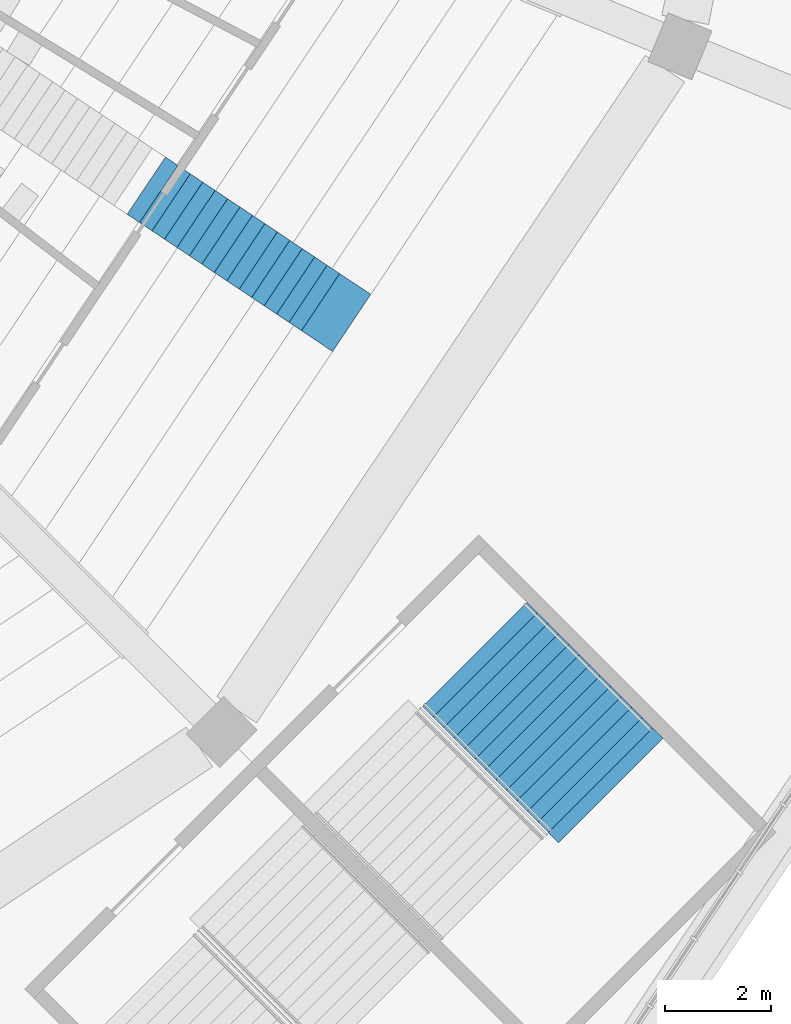
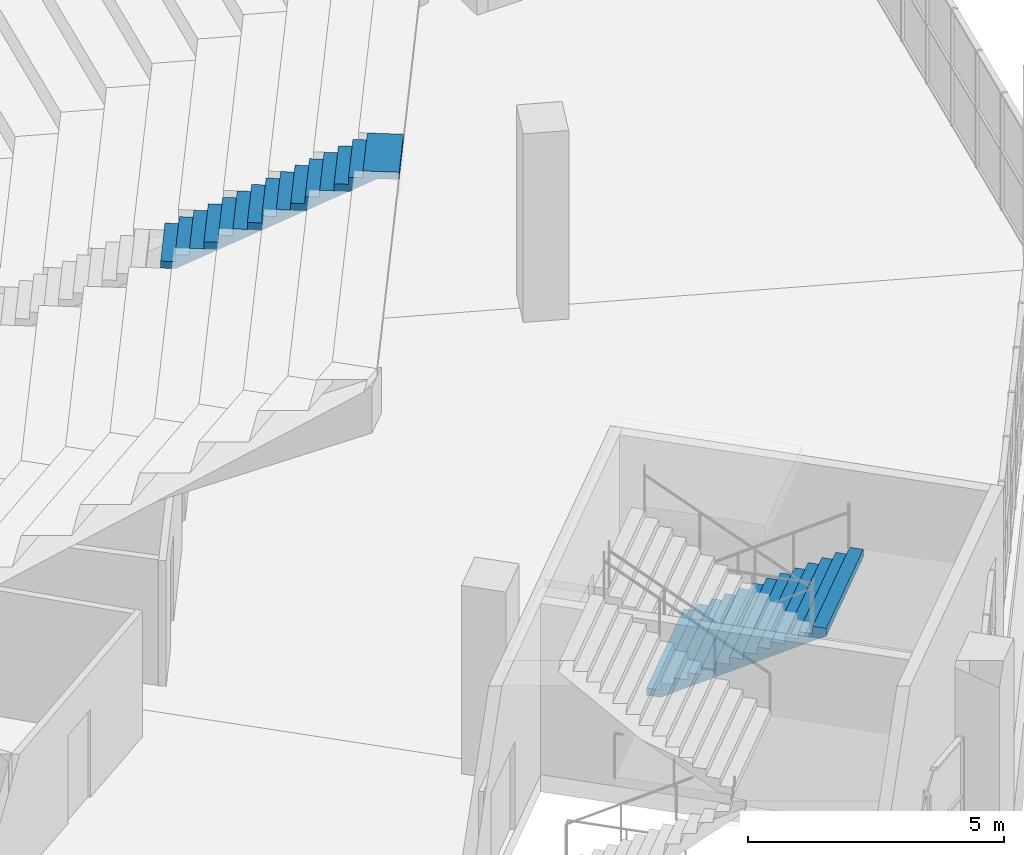
# One storey, part 172 of 249: 2 stair flights, 2 elements without a shape of their own.
"""IFC4 building model written with IfcOpenShell, lengths in metres."""

import ifcopenshell
import ifcopenshell.guid

model = None  # the IFC model being written
_history = None  # IfcOwnerHistory: only IFC2X3 demands one
_inside = {}  # id of a spatial element -> (the spatial element, [elements in it])
_under = {}  # id of a project, library or spatial element -> (it, [spatial elements below it])
_declared = {}  # id of a project -> (the project, [libraries it declares])
_typed = {}  # id of a type object -> (the type object, [elements of that type])
_made_of = {}  # id of a material, layer set ... -> (it, [elements and type objects made of it])


def new_model(schema):
    """Start an empty IFC model of exactly this schema.

    Asked for "IFC4X3", IfcOpenShell would pick the latest addendum, in which some entities
    have other attributes; the version numbers below select the first issue.
    IFC2X3 requires an IfcOwnerHistory on every rooted entity: one is made here for all.
    """
    global model, _history
    if schema == "IFC4X3":
        model = ifcopenshell.file(schema_version=(4, 3, 0, 0))
    else:
        model = ifcopenshell.file(schema=schema)
    _inside.clear()
    _under.clear()
    _declared.clear()
    _typed.clear()
    _made_of.clear()
    _history = None
    if model.schema == "IFC2X3":
        org = make("IfcOrganization", Name="unknown")
        user = make(
            "IfcPersonAndOrganization",
            ThePerson=make("IfcPerson", FamilyName="unknown"),
            TheOrganization=org,
        )
        app = make(
            "IfcApplication",
            ApplicationDeveloper=org,
            Version="unknown",
            ApplicationFullName="unknown",
            ApplicationIdentifier="unknown",
        )
        _history = make(
            "IfcOwnerHistory",
            OwningUser=user,
            OwningApplication=app,
            ChangeAction="ADDED",
            CreationDate=0,
        )
    return model


def make(cls, **values):
    """One entity of the class cls with the attributes given. An attribute that is None is left unset."""
    return model.create_entity(
        cls, **{name: value for name, value in values.items() if value is not None}
    )


def rooted(cls, **values):
    """An entity with a GlobalId (a new one), such as an element, a storey or a relation."""
    return make(cls, GlobalId=ifcopenshell.guid.new(), OwnerHistory=_history, **values)


def si_unit(unit_type, name, prefix=None):
    """IfcSIUnit, for example si_unit("LENGTHUNIT", "METRE", prefix="MILLI")."""
    return make("IfcSIUnit", UnitType=unit_type, Prefix=prefix, Name=name)


def assignment(units):
    """IfcUnitAssignment: the units of a project."""
    return None if units is None else make("IfcUnitAssignment", Units=units)


def point(xyz):
    """IfcCartesianPoint."""
    return None if xyz is None else make("IfcCartesianPoint", Coordinates=xyz)


def direction(xyz):
    """IfcDirection."""
    return None if xyz is None else make("IfcDirection", DirectionRatios=xyz)


def frame(location, z_axis=None, x_axis=None):
    """IfcAxis2Placement3D, a coordinate frame: its origin and axes. An axis left out is left unset."""
    return make(
        "IfcAxis2Placement3D",
        Location=point(location),
        Axis=direction(z_axis),
        RefDirection=direction(x_axis),
    )


def origin():
    """The frame at (0, 0, 0) with its axes left unset."""
    return frame((0.0, 0.0, 0.0))


def place(relative_to, where):
    """IfcLocalPlacement: puts the frame where relative to a parent placement (None: the world)."""
    return make(
        "IfcLocalPlacement", PlacementRelTo=relative_to, RelativePlacement=where
    )


def context(
    kind, dimensions, precision=None, world=None, true_north=None, identifier=None
):
    """IfcGeometricRepresentationContext, for example the 3D "Model" context."""
    return make(
        "IfcGeometricRepresentationContext",
        ContextIdentifier=identifier,
        ContextType=kind,
        CoordinateSpaceDimension=dimensions,
        Precision=precision,
        WorldCoordinateSystem=world,
        TrueNorth=true_north,
    )


def subcontext(parent, identifier, kind, view, scale=None):
    """IfcGeometricRepresentationSubContext, for example "Body" below "Model"."""
    return make(
        "IfcGeometricRepresentationSubContext",
        ContextIdentifier=identifier,
        ContextType=kind,
        ParentContext=parent,
        TargetScale=scale,
        TargetView=view,
    )


def project(units=None, contexts=None):
    """IfcProject with its units and contexts."""
    return rooted(
        "IfcProject",
        Name="project",
        RepresentationContexts=contexts,
        UnitsInContext=assignment(units),
    )


def spatial(cls, under=None, at=None, **own):
    """A site, building, storey or space (cls), placed at a placement, below another one or the project."""
    s = rooted(cls, ObjectPlacement=at, **own)
    if under is not None:
        _under.setdefault(under.id(), (under, []))[1].append(s)
    return s


def faces_of(points, faces, orient=None, outer=None):
    """IfcFace entities. A face is a list of loops; a loop is a list of indices into points, from 0.

    orient and outer hold one flag for each loop. By default every Orientation is true, the
    first loop of a face is its IfcFaceOuterBound and the others are IfcFaceBound.
    """
    made = []
    for i, loops in enumerate(faces):
        bounds = []
        for j, loop in enumerate(loops):
            is_outer = j == 0 if outer is None else outer[i][j]
            bounds.append(
                make(
                    "IfcFaceOuterBound" if is_outer else "IfcFaceBound",
                    Bound=make("IfcPolyLoop", Polygon=[points[k] for k in loop]),
                    Orientation=True if orient is None else orient[i][j],
                )
            )
        made.append(make("IfcFace", Bounds=bounds))
    return made


def faceted_brep(points, faces, orient=None, outer=None, voids=None):
    """IfcFacetedBrep: a solid bounded by flat faces; with voids (closed shells), ...WithVoids."""
    shared = [point(p) for p in points]
    hull = make("IfcClosedShell", CfsFaces=faces_of(shared, faces, orient, outer))
    if voids is None:
        return make("IfcFacetedBrep", Outer=hull)
    return make(
        "IfcFacetedBrepWithVoids",
        Outer=hull,
        Voids=[
            make(cls, CfsFaces=faces_of(shared, fs, o, b)) for cls, fs, o, b in voids
        ],
    )


def shape(context_of_items, identifier, shape_type, items):
    """IfcShapeRepresentation: the items that make up one representation, for example the "Body"."""
    return make(
        "IfcShapeRepresentation",
        ContextOfItems=context_of_items,
        RepresentationIdentifier=identifier,
        RepresentationType=shape_type,
        Items=items,
    )


def material(Name=None, Category=None):
    """IfcMaterial."""
    return make("IfcMaterial", Name=Name, Category=Category)


def made_of(thing, what):
    """Note that an element or type object is made of a material, layer set ...; save() writes the relation."""
    if what is not None:
        _made_of.setdefault(what.id(), (what, []))[1].append(thing)
    return thing


def type_object(cls, material=None, **own):
    """A type object (cls), such as IfcWallType, which elements share."""
    return made_of(rooted(cls, **own), material)


def element(
    cls,
    number,
    at=None,
    inside=None,
    cuts=None,
    type_object=None,
    material=None,
    context=None,
    identifier="Body",
    shape_type=None,
    held_by="IfcProductDefinitionShape",
    body=None,
    shapes=None,
    **own,
):
    """One element of the class cls, such as IfcWall. Its Tag is "e" and its number.

    at: its placement. inside: the storey or other place that contains it. cuts: it is an
    opening in that element (IfcRelVoidsElement). A single representation is given by context,
    identifier, shape_type and body (its items); several are given by shapes. held_by: the class
    of the entity that holds the representations. save() writes the other relations.
    """
    e = rooted(cls, Tag="e%d" % number, ObjectPlacement=at, **own)
    if body is not None:
        shapes = [shape(context, identifier, shape_type, body)]
    if shapes is not None:
        e.Representation = make(held_by, Representations=shapes)
    if inside is not None:
        _inside.setdefault(inside.id(), (inside, []))[1].append(e)
    if cuts is not None:
        rooted(
            "IfcRelVoidsElement", RelatingBuildingElement=cuts, RelatedOpeningElement=e
        )
    if type_object is not None:
        _typed.setdefault(type_object.id(), (type_object, []))[1].append(e)
    return made_of(e, material)


def aggregate(whole, parts):
    """IfcRelAggregates: a whole, such as a stair, and the parts it consists of."""
    return rooted("IfcRelAggregates", RelatingObject=whole, RelatedObjects=parts)


def save(model, path):
    """Write the relations noted so far, then the file.

    IfcRelAggregates (storeys below a building ...), IfcRelContainedInSpatialStructure (elements
    in a storey), IfcRelDefinesByType, IfcRelAssociatesMaterial and IfcRelDeclares: one each for
    every whole, place, type object, material and project.
    """
    for whole, parts in _under.values():
        aggregate(whole, parts)
    for where, things in _inside.values():
        rooted(
            "IfcRelContainedInSpatialStructure",
            RelatedElements=things,
            RelatingStructure=where,
        )
    for kind, things in _typed.values():
        rooted("IfcRelDefinesByType", RelatedObjects=things, RelatingType=kind)
    for what, things in _made_of.values():
        rooted("IfcRelAssociatesMaterial", RelatedObjects=things, RelatingMaterial=what)
    for by, libraries in _declared.values():
        rooted("IfcRelDeclares", RelatingContext=by, RelatedDefinitions=libraries)
    model.write(path)


model = new_model("IFC4")

# Units and contexts
model_context = context("Model", 3, precision=1e-05, world=origin(), true_north=direction((0.0, 1.0)))
body_context = subcontext(model_context, "Body", "Model", "MODEL_VIEW")
ifc_project = project(units=[si_unit("LENGTHUNIT", "METRE"), si_unit("AREAUNIT", "SQUARE_METRE"), si_unit("VOLUMEUNIT", "CUBIC_METRE"), si_unit("PLANEANGLEUNIT", "RADIAN"), si_unit("MASSUNIT", "GRAM", prefix="KILO")], contexts=[model_context])

# Site, building, storey
site_placement = place(None, origin())
site = spatial("IfcSite", under=ifc_project, at=site_placement, CompositionType="ELEMENT")
building_placement = place(site_placement, origin())
building = spatial("IfcBuilding", under=site, at=building_placement, Name="Ogive Plaza Stadium", CompositionType="ELEMENT")
storey_placement = place(building_placement, frame((0.0, 0.0, 13.5)))
storey = spatial("IfcBuildingStorey", under=building, at=storey_placement, Name="L03", CompositionType="ELEMENT", Elevation=13.5)

# Stair, stair flight
ifc_material_1 = material(Name="Concrete C40/50", Category="concrete")
stair_type_1 = type_object("IfcStairType", Name="Aisle stair", PredefinedType="STRAIGHT_RUN_STAIR", material=ifc_material_1)
stair_1_placement = place(storey_placement, origin())
stair_1 = element("IfcStair", 1, at=stair_1_placement, inside=storey, type_object=stair_type_1, Name="Aisle stair SA09U", PredefinedType="STRAIGHT_RUN_STAIR")
ifc_material_2 = material(Name="Concrete C40/50", Category="concrete")
stair_flight_type_1 = type_object("IfcStairFlightType", Name="Aisle stair flight", PredefinedType="STRAIGHT", material=ifc_material_2)
stair_flight_1_placement = place(storey_placement, frame((60.8564453125, -70.44482421875, 6.5), z_axis=(0.0, 0.0, 1.0), x_axis=(0.831469612303, -0.55557023302, 0.0)))
stair_flight_1 = element("IfcStairFlight", 2, at=stair_flight_1_placement, type_object=stair_flight_type_1, Name="SA09U flight 3", NumberOfRisers=15, NumberOfTreads=14, PredefinedType="STRAIGHT", RiserHeight=0.166666667, TreadLength=0.283333333, context=body_context, shape_type="Brep", body=[
    faceted_brep([(0.295654296875, -0.64990234375, 0.0), (4.25, -0.64990234375, 2.326171875), (4.675537109375, -0.64990234375, 2.326171875), (4.675537109375, -0.64990234375, 2.5), (3.966552734375, -0.64990234375, 2.5), (3.966552734375, -0.64990234375, 2.333251953125), (3.683349609375, -0.64990234375, 2.333251953125), (3.683349609375, -0.64990234375, 2.166748046875), (3.39990234375, -0.64990234375, 2.166748046875), (3.39990234375, -0.64990234375, 2.0), (3.11669921875, -0.64990234375, 2.0), (3.11669921875, -0.64990234375, 1.833251953125), (2.833251953125, -0.64990234375, 1.833251953125), (2.833251953125, -0.64990234375, 1.666748046875), (2.550048828125, -0.64990234375, 1.666748046875), (2.550048828125, -0.64990234375, 1.5), (2.2666015625, -0.64990234375, 1.5), (2.2666015625, -0.64990234375, 1.333251953125), (1.9833984375, -0.64990234375, 1.333251953125), (1.9833984375, -0.64990234375, 1.166748046875), (1.699951171875, -0.64990234375, 1.166748046875), (1.699951171875, -0.64990234375, 1.0), (1.416748046875, -0.64990234375, 1.0), (1.416748046875, -0.64990234375, 0.833251953125), (1.13330078125, -0.64990234375, 0.833251953125), (1.13330078125, -0.64990234375, 0.666748046875), (0.85009765625, -0.64990234375, 0.666748046875), (0.85009765625, -0.64990234375, 0.5), (0.566650390625, -0.64990234375, 0.5), (0.566650390625, -0.64990234375, 0.333251953125), (0.283447265625, -0.64990234375, 0.333251953125), (0.283447265625, -0.64990234375, 0.166748046875), (0.0, -0.64990234375, 0.166748046875), (0.0, -0.64990234375, 0.0), (0.0, 0.64990234375, 0.0), (0.0, 0.64990234375, 0.166748046875), (0.283447265625, 0.64990234375, 0.166748046875), (0.283447265625, 0.64990234375, 0.333251953125), (0.566650390625, 0.64990234375, 0.333251953125), (0.566650390625, 0.64990234375, 0.5), (0.85009765625, 0.64990234375, 0.5), (0.85009765625, 0.64990234375, 0.666748046875), (1.13330078125, 0.64990234375, 0.666748046875), (1.13330078125, 0.64990234375, 0.833251953125), (1.416748046875, 0.64990234375, 0.833251953125), (1.416748046875, 0.64990234375, 1.0), (1.699951171875, 0.64990234375, 1.0), (1.699951171875, 0.64990234375, 1.166748046875), (1.9833984375, 0.64990234375, 1.166748046875), (1.9833984375, 0.64990234375, 1.333251953125), (2.2666015625, 0.64990234375, 1.333251953125), (2.2666015625, 0.64990234375, 1.5), (2.550048828125, 0.64990234375, 1.5), (2.550048828125, 0.64990234375, 1.666748046875), (2.833251953125, 0.64990234375, 1.666748046875), (2.833251953125, 0.64990234375, 1.833251953125), (3.11669921875, 0.64990234375, 1.833251953125), (3.11669921875, 0.64990234375, 2.0), (3.39990234375, 0.64990234375, 2.0), (3.39990234375, 0.64990234375, 2.166748046875), (3.683349609375, 0.64990234375, 2.166748046875), (3.683349609375, 0.64990234375, 2.333251953125), (3.966552734375, 0.64990234375, 2.333251953125), (3.966552734375, 0.64990234375, 2.5), (4.675537109375, 0.64990234375, 2.5), (4.675537109375, 0.64990234375, 2.326171875), (4.25, 0.64990234375, 2.326171875), (0.295654296875, 0.64990234375, 0.0), (0.295654296875, -0.324951171875, 0.0), (4.25, -0.324951171875, 2.326171875), (0.295654296875, 0.0, 0.0), (4.25, 0.0, 2.326171875), (0.295654296875, 0.324951171875, 0.0), (4.25, 0.324951171875, 2.326171875), (4.675537109375, -0.324951171875, 2.326171875), (4.675537109375, 0.0, 2.326171875), (4.675537109375, 0.324951171875, 2.326171875), (4.675537109375, -0.324951171875, 2.5), (4.675537109375, 0.0, 2.5), (4.675537109375, 0.324951171875, 2.5), (3.966552734375, -0.324951171875, 2.5), (3.966552734375, 0.0, 2.5), (3.966552734375, 0.324951171875, 2.5), (3.966552734375, -0.324951171875, 2.333251953125), (3.966552734375, 0.0, 2.333251953125), (3.966552734375, 0.324951171875, 2.333251953125), (3.683349609375, -0.324951171875, 2.333251953125), (3.683349609375, 0.0, 2.333251953125), (3.683349609375, 0.324951171875, 2.333251953125), (3.683349609375, -0.324951171875, 2.166748046875), (3.683349609375, 0.0, 2.166748046875), (3.683349609375, 0.324951171875, 2.166748046875), (3.39990234375, -0.324951171875, 2.166748046875), (3.39990234375, 0.0, 2.166748046875), (3.39990234375, 0.324951171875, 2.166748046875), (3.39990234375, -0.324951171875, 2.0), (3.39990234375, 0.0, 2.0), (3.39990234375, 0.324951171875, 2.0), (3.11669921875, -0.324951171875, 2.0), (3.11669921875, 0.0, 2.0), (3.11669921875, 0.324951171875, 2.0), (3.11669921875, -0.324951171875, 1.833251953125), (3.11669921875, 0.0, 1.833251953125), (3.11669921875, 0.324951171875, 1.833251953125), (2.833251953125, -0.324951171875, 1.833251953125), (2.833251953125, 0.0, 1.833251953125), (2.833251953125, 0.324951171875, 1.833251953125), (2.833251953125, -0.324951171875, 1.666748046875), (2.833251953125, 0.0, 1.666748046875), (2.833251953125, 0.324951171875, 1.666748046875), (2.550048828125, -0.324951171875, 1.666748046875), (2.550048828125, 0.0, 1.666748046875), (2.550048828125, 0.324951171875, 1.666748046875), (2.550048828125, -0.324951171875, 1.5), (2.550048828125, 0.0, 1.5), (2.550048828125, 0.324951171875, 1.5), (2.2666015625, -0.324951171875, 1.5), (2.2666015625, 0.0, 1.5), (2.2666015625, 0.324951171875, 1.5), (2.2666015625, -0.324951171875, 1.333251953125), (2.2666015625, 0.0, 1.333251953125), (2.2666015625, 0.324951171875, 1.333251953125), (1.9833984375, -0.324951171875, 1.333251953125), (1.9833984375, 0.0, 1.333251953125), (1.9833984375, 0.324951171875, 1.333251953125), (1.9833984375, -0.324951171875, 1.166748046875), (1.9833984375, 0.0, 1.166748046875), (1.9833984375, 0.324951171875, 1.166748046875), (1.699951171875, -0.324951171875, 1.166748046875), (1.699951171875, 0.0, 1.166748046875), (1.699951171875, 0.324951171875, 1.166748046875), (1.699951171875, -0.324951171875, 1.0), (1.699951171875, 0.0, 1.0), (1.699951171875, 0.324951171875, 1.0), (1.416748046875, -0.324951171875, 1.0), (1.416748046875, 0.0, 1.0), (1.416748046875, 0.324951171875, 1.0), (1.416748046875, -0.324951171875, 0.833251953125), (1.416748046875, 0.0, 0.833251953125), (1.416748046875, 0.324951171875, 0.833251953125), (1.13330078125, -0.324951171875, 0.833251953125), (1.13330078125, 0.0, 0.833251953125), (1.13330078125, 0.324951171875, 0.833251953125), (1.13330078125, -0.324951171875, 0.666748046875), (1.13330078125, 0.0, 0.666748046875), (1.13330078125, 0.324951171875, 0.666748046875), (0.85009765625, -0.324951171875, 0.666748046875), (0.85009765625, 0.0, 0.666748046875), (0.85009765625, 0.324951171875, 0.666748046875), (0.85009765625, -0.324951171875, 0.5), (0.85009765625, 0.0, 0.5), (0.85009765625, 0.324951171875, 0.5), (0.566650390625, -0.324951171875, 0.5), (0.566650390625, 0.0, 0.5), (0.566650390625, 0.324951171875, 0.5), (0.566650390625, -0.324951171875, 0.333251953125), (0.566650390625, 0.0, 0.333251953125), (0.566650390625, 0.324951171875, 0.333251953125), (0.283447265625, -0.324951171875, 0.333251953125), (0.283447265625, 0.0, 0.333251953125), (0.283447265625, 0.324951171875, 0.333251953125), (0.283447265625, -0.324951171875, 0.166748046875), (0.283447265625, 0.0, 0.166748046875), (0.283447265625, 0.324951171875, 0.166748046875), (0.0, -0.324951171875, 0.166748046875), (0.0, 0.0, 0.166748046875), (0.0, 0.324951171875, 0.166748046875), (0.0, -0.324951171875, 0.0), (0.0, 0.0, 0.0), (0.0, 0.324951171875, 0.0)], [[[0, 1, 2, 3, 4, 5, 6, 7, 8, 9, 10, 11, 12, 13, 14, 15, 16, 17, 18, 19, 20, 21, 22, 23, 24, 25, 26, 27, 28, 29, 30, 31, 32, 33]], [[34, 35, 36, 37, 38, 39, 40, 41, 42, 43, 44, 45, 46, 47, 48, 49, 50, 51, 52, 53, 54, 55, 56, 57, 58, 59, 60, 61, 62, 63, 64, 65, 66, 67]], [[0, 68, 69, 1]], [[68, 70, 71, 69]], [[70, 72, 73, 71]], [[72, 67, 66, 73]], [[1, 69, 74, 2]], [[69, 71, 75, 74]], [[71, 73, 76, 75]], [[73, 66, 65, 76]], [[2, 74, 77, 3]], [[74, 75, 78, 77]], [[75, 76, 79, 78]], [[76, 65, 64, 79]], [[3, 77, 80, 4]], [[77, 78, 81, 80]], [[78, 79, 82, 81]], [[79, 64, 63, 82]], [[4, 80, 83, 5]], [[80, 81, 84, 83]], [[81, 82, 85, 84]], [[82, 63, 62, 85]], [[5, 83, 86, 6]], [[83, 84, 87, 86]], [[84, 85, 88, 87]], [[85, 62, 61, 88]], [[6, 86, 89, 7]], [[86, 87, 90, 89]], [[87, 88, 91, 90]], [[88, 61, 60, 91]], [[7, 89, 92, 8]], [[89, 90, 93, 92]], [[90, 91, 94, 93]], [[91, 60, 59, 94]], [[8, 92, 95, 9]], [[92, 93, 96, 95]], [[93, 94, 97, 96]], [[94, 59, 58, 97]], [[9, 95, 98, 10]], [[95, 96, 99, 98]], [[96, 97, 100, 99]], [[97, 58, 57, 100]], [[10, 98, 101, 11]], [[98, 99, 102, 101]], [[99, 100, 103, 102]], [[100, 57, 56, 103]], [[11, 101, 104, 12]], [[101, 102, 105, 104]], [[102, 103, 106, 105]], [[103, 56, 55, 106]], [[12, 104, 107, 13]], [[104, 105, 108, 107]], [[105, 106, 109, 108]], [[106, 55, 54, 109]], [[13, 107, 110, 14]], [[107, 108, 111, 110]], [[108, 109, 112, 111]], [[109, 54, 53, 112]], [[14, 110, 113, 15]], [[110, 111, 114, 113]], [[111, 112, 115, 114]], [[112, 53, 52, 115]], [[15, 113, 116, 16]], [[113, 114, 117, 116]], [[114, 115, 118, 117]], [[115, 52, 51, 118]], [[16, 116, 119, 17]], [[116, 117, 120, 119]], [[117, 118, 121, 120]], [[118, 51, 50, 121]], [[17, 119, 122, 18]], [[119, 120, 123, 122]], [[120, 121, 124, 123]], [[121, 50, 49, 124]], [[18, 122, 125, 19]], [[122, 123, 126, 125]], [[123, 124, 127, 126]], [[124, 49, 48, 127]], [[19, 125, 128, 20]], [[125, 126, 129, 128]], [[126, 127, 130, 129]], [[127, 48, 47, 130]], [[20, 128, 131, 21]], [[128, 129, 132, 131]], [[129, 130, 133, 132]], [[130, 47, 46, 133]], [[21, 131, 134, 22]], [[131, 132, 135, 134]], [[132, 133, 136, 135]], [[133, 46, 45, 136]], [[22, 134, 137, 23]], [[134, 135, 138, 137]], [[135, 136, 139, 138]], [[136, 45, 44, 139]], [[23, 137, 140, 24]], [[137, 138, 141, 140]], [[138, 139, 142, 141]], [[139, 44, 43, 142]], [[24, 140, 143, 25]], [[140, 141, 144, 143]], [[141, 142, 145, 144]], [[142, 43, 42, 145]], [[25, 143, 146, 26]], [[143, 144, 147, 146]], [[144, 145, 148, 147]], [[145, 42, 41, 148]], [[26, 146, 149, 27]], [[146, 147, 150, 149]], [[147, 148, 151, 150]], [[148, 41, 40, 151]], [[27, 149, 152, 28]], [[149, 150, 153, 152]], [[150, 151, 154, 153]], [[151, 40, 39, 154]], [[28, 152, 155, 29]], [[152, 153, 156, 155]], [[153, 154, 157, 156]], [[154, 39, 38, 157]], [[29, 155, 158, 30]], [[155, 156, 159, 158]], [[156, 157, 160, 159]], [[157, 38, 37, 160]], [[30, 158, 161, 31]], [[158, 159, 162, 161]], [[159, 160, 163, 162]], [[160, 37, 36, 163]], [[31, 161, 164, 32]], [[161, 162, 165, 164]], [[162, 163, 166, 165]], [[163, 36, 35, 166]], [[32, 164, 167, 33]], [[164, 165, 168, 167]], [[165, 166, 169, 168]], [[166, 35, 34, 169]], [[33, 167, 68, 0]], [[167, 168, 70, 68]], [[168, 169, 72, 70]], [[169, 34, 67, 72]]]),
])
aggregate(stair_1, [stair_flight_1])

ifc_material_3 = material(Name="Concrete C40/50", Category="concrete")
stair_type_2 = type_object("IfcStairType", Name="Exit stair", PredefinedType="STRAIGHT_RUN_STAIR", material=ifc_material_3)
stair_2_placement = place(storey_placement, origin())
stair_2 = element("IfcStair", 3, at=stair_2_placement, inside=storey, type_object=stair_type_2, Name="Exit stair ST10B L03 to L04", PredefinedType="STRAIGHT_RUN_STAIR")
ifc_material_4 = material(Name="Concrete C40/50", Category="concrete")
stair_flight_type_2 = type_object("IfcStairFlightType", Name="Exit stair flight", PredefinedType="STRAIGHT", material=ifc_material_4)
stair_flight_2_placement = place(storey_placement, frame((67.074951171875, -79.317138671875, 0.0), z_axis=(0.0, 0.0, 1.0), x_axis=(0.707106781187, -0.707106781187, 0.0)))
stair_flight_2 = element("IfcStairFlight", 4, at=stair_flight_2_placement, type_object=stair_flight_type_2, Name="ST10B flight 1", NumberOfRisers=13, NumberOfTreads=12, PredefinedType="STRAIGHT", RiserHeight=0.173076923, TreadLength=0.28, context=body_context, shape_type="Brep", body=[
    faceted_brep([(0.28515625, -1.39990234375, 0.0), (3.639892578125, -1.39990234375, 2.07373046875), (3.639892578125, -1.39990234375, 2.25), (3.360107421875, -1.39990234375, 2.25), (3.360107421875, -1.39990234375, 2.076904296875), (3.080078125, -1.39990234375, 2.076904296875), (3.080078125, -1.39990234375, 1.90380859375), (2.800048828125, -1.39990234375, 1.90380859375), (2.800048828125, -1.39990234375, 1.730712890625), (2.52001953125, -1.39990234375, 1.730712890625), (2.52001953125, -1.39990234375, 1.5576171875), (2.239990234375, -1.39990234375, 1.5576171875), (2.239990234375, -1.39990234375, 1.384521484375), (1.9599609375, -1.39990234375, 1.384521484375), (1.9599609375, -1.39990234375, 1.21142578125), (1.679931640625, -1.39990234375, 1.21142578125), (1.679931640625, -1.39990234375, 1.03857421875), (1.39990234375, -1.39990234375, 1.03857421875), (1.39990234375, -1.39990234375, 0.865478515625), (1.1201171875, -1.39990234375, 0.865478515625), (1.1201171875, -1.39990234375, 0.6923828125), (0.840087890625, -1.39990234375, 0.6923828125), (0.840087890625, -1.39990234375, 0.519287109375), (0.56005859375, -1.39990234375, 0.519287109375), (0.56005859375, -1.39990234375, 0.34619140625), (0.280029296875, -1.39990234375, 0.34619140625), (0.280029296875, -1.39990234375, 0.173095703125), (0.0, -1.39990234375, 0.173095703125), (0.0, -1.39990234375, 0.0), (0.0, 1.39990234375, 0.0), (0.0, 1.39990234375, 0.173095703125), (0.280029296875, 1.39990234375, 0.173095703125), (0.280029296875, 1.39990234375, 0.34619140625), (0.56005859375, 1.39990234375, 0.34619140625), (0.56005859375, 1.39990234375, 0.519287109375), (0.840087890625, 1.39990234375, 0.519287109375), (0.840087890625, 1.39990234375, 0.6923828125), (1.1201171875, 1.39990234375, 0.6923828125), (1.1201171875, 1.39990234375, 0.865478515625), (1.39990234375, 1.39990234375, 0.865478515625), (1.39990234375, 1.39990234375, 1.03857421875), (1.679931640625, 1.39990234375, 1.03857421875), (1.679931640625, 1.39990234375, 1.21142578125), (1.9599609375, 1.39990234375, 1.21142578125), (1.9599609375, 1.39990234375, 1.384521484375), (2.239990234375, 1.39990234375, 1.384521484375), (2.239990234375, 1.39990234375, 1.5576171875), (2.52001953125, 1.39990234375, 1.5576171875), (2.52001953125, 1.39990234375, 1.730712890625), (2.800048828125, 1.39990234375, 1.730712890625), (2.800048828125, 1.39990234375, 1.90380859375), (3.080078125, 1.39990234375, 1.90380859375), (3.080078125, 1.39990234375, 2.076904296875), (3.360107421875, 1.39990234375, 2.076904296875), (3.360107421875, 1.39990234375, 2.25), (3.639892578125, 1.39990234375, 2.25), (3.639892578125, 1.39990234375, 2.07373046875), (0.28515625, 1.39990234375, 0.0), (0.28515625, -1.0888671875, 0.0), (3.639892578125, -1.0888671875, 2.07373046875), (0.28515625, -0.77783203125, 0.0), (3.639892578125, -0.77783203125, 2.07373046875), (0.28515625, -0.466796875, 0.0), (3.639892578125, -0.466796875, 2.07373046875), (0.28515625, -0.155517578125, 0.0), (3.639892578125, -0.155517578125, 2.07373046875), (0.28515625, 0.155517578125, 0.0), (3.639892578125, 0.155517578125, 2.07373046875), (0.28515625, 0.466796875, 0.0), (3.639892578125, 0.466796875, 2.07373046875), (0.28515625, 0.77783203125, 0.0), (3.639892578125, 0.77783203125, 2.07373046875), (0.28515625, 1.0888671875, 0.0), (3.639892578125, 1.0888671875, 2.07373046875), (3.639892578125, -1.0888671875, 2.25), (3.639892578125, -0.77783203125, 2.25), (3.639892578125, -0.466796875, 2.25), (3.639892578125, -0.155517578125, 2.25), (3.639892578125, 0.155517578125, 2.25), (3.639892578125, 0.466796875, 2.25), (3.639892578125, 0.77783203125, 2.25), (3.639892578125, 1.0888671875, 2.25), (3.360107421875, -1.0888671875, 2.25), (3.360107421875, -0.77783203125, 2.25), (3.360107421875, -0.466796875, 2.25), (3.360107421875, -0.155517578125, 2.25), (3.360107421875, 0.155517578125, 2.25), (3.360107421875, 0.466796875, 2.25), (3.360107421875, 0.77783203125, 2.25), (3.360107421875, 1.0888671875, 2.25), (3.360107421875, -1.0888671875, 2.076904296875), (3.360107421875, -0.77783203125, 2.076904296875), (3.360107421875, -0.466796875, 2.076904296875), (3.360107421875, -0.155517578125, 2.076904296875), (3.360107421875, 0.155517578125, 2.076904296875), (3.360107421875, 0.466796875, 2.076904296875), (3.360107421875, 0.77783203125, 2.076904296875), (3.360107421875, 1.0888671875, 2.076904296875), (3.080078125, -1.0888671875, 2.076904296875), (3.080078125, -0.77783203125, 2.076904296875), (3.080078125, -0.466796875, 2.076904296875), (3.080078125, -0.155517578125, 2.076904296875), (3.080078125, 0.155517578125, 2.076904296875), (3.080078125, 0.466796875, 2.076904296875), (3.080078125, 0.77783203125, 2.076904296875), (3.080078125, 1.0888671875, 2.076904296875), (3.080078125, -1.0888671875, 1.90380859375), (3.080078125, -0.77783203125, 1.90380859375), (3.080078125, -0.466796875, 1.90380859375), (3.080078125, -0.155517578125, 1.90380859375), (3.080078125, 0.155517578125, 1.90380859375), (3.080078125, 0.466796875, 1.90380859375), (3.080078125, 0.77783203125, 1.90380859375), (3.080078125, 1.0888671875, 1.90380859375), (2.800048828125, -1.0888671875, 1.90380859375), (2.800048828125, -0.77783203125, 1.90380859375), (2.800048828125, -0.466796875, 1.90380859375), (2.800048828125, -0.155517578125, 1.90380859375), (2.800048828125, 0.155517578125, 1.90380859375), (2.800048828125, 0.466796875, 1.90380859375), (2.800048828125, 0.77783203125, 1.90380859375), (2.800048828125, 1.0888671875, 1.90380859375), (2.800048828125, -1.0888671875, 1.730712890625), (2.800048828125, -0.77783203125, 1.730712890625), (2.800048828125, -0.466796875, 1.730712890625), (2.800048828125, -0.155517578125, 1.730712890625), (2.800048828125, 0.155517578125, 1.730712890625), (2.800048828125, 0.466796875, 1.730712890625), (2.800048828125, 0.77783203125, 1.730712890625), (2.800048828125, 1.0888671875, 1.730712890625), (2.52001953125, -1.0888671875, 1.730712890625), (2.52001953125, -0.77783203125, 1.730712890625), (2.52001953125, -0.466796875, 1.730712890625), (2.52001953125, -0.155517578125, 1.730712890625), (2.52001953125, 0.155517578125, 1.730712890625), (2.52001953125, 0.466796875, 1.730712890625), (2.52001953125, 0.77783203125, 1.730712890625), (2.52001953125, 1.0888671875, 1.730712890625), (2.52001953125, -1.0888671875, 1.5576171875), (2.52001953125, -0.77783203125, 1.5576171875), (2.52001953125, -0.466796875, 1.5576171875), (2.52001953125, -0.155517578125, 1.5576171875), (2.52001953125, 0.155517578125, 1.5576171875), (2.52001953125, 0.466796875, 1.5576171875), (2.52001953125, 0.77783203125, 1.5576171875), (2.52001953125, 1.0888671875, 1.5576171875), (2.239990234375, -1.0888671875, 1.5576171875), (2.239990234375, -0.77783203125, 1.5576171875), (2.239990234375, -0.466796875, 1.5576171875), (2.239990234375, -0.155517578125, 1.5576171875), (2.239990234375, 0.155517578125, 1.5576171875), (2.239990234375, 0.466796875, 1.5576171875), (2.239990234375, 0.77783203125, 1.5576171875), (2.239990234375, 1.0888671875, 1.5576171875), (2.239990234375, -1.0888671875, 1.384521484375), (2.239990234375, -0.77783203125, 1.384521484375), (2.239990234375, -0.466796875, 1.384521484375), (2.239990234375, -0.155517578125, 1.384521484375), (2.239990234375, 0.155517578125, 1.384521484375), (2.239990234375, 0.466796875, 1.384521484375), (2.239990234375, 0.77783203125, 1.384521484375), (2.239990234375, 1.0888671875, 1.384521484375), (1.9599609375, -1.0888671875, 1.384521484375), (1.9599609375, -0.77783203125, 1.384521484375), (1.9599609375, -0.466796875, 1.384521484375), (1.9599609375, -0.155517578125, 1.384521484375), (1.9599609375, 0.155517578125, 1.384521484375), (1.9599609375, 0.466796875, 1.384521484375), (1.9599609375, 0.77783203125, 1.384521484375), (1.9599609375, 1.0888671875, 1.384521484375), (1.9599609375, -1.0888671875, 1.21142578125), (1.9599609375, -0.77783203125, 1.21142578125), (1.9599609375, -0.466796875, 1.21142578125), (1.9599609375, -0.155517578125, 1.21142578125), (1.9599609375, 0.155517578125, 1.21142578125), (1.9599609375, 0.466796875, 1.21142578125), (1.9599609375, 0.77783203125, 1.21142578125), (1.9599609375, 1.0888671875, 1.21142578125), (1.679931640625, -1.0888671875, 1.21142578125), (1.679931640625, -0.77783203125, 1.21142578125), (1.679931640625, -0.466796875, 1.21142578125), (1.679931640625, -0.155517578125, 1.21142578125), (1.679931640625, 0.155517578125, 1.21142578125), (1.679931640625, 0.466796875, 1.21142578125), (1.679931640625, 0.77783203125, 1.21142578125), (1.679931640625, 1.0888671875, 1.21142578125), (1.679931640625, -1.0888671875, 1.03857421875), (1.679931640625, -0.77783203125, 1.03857421875), (1.679931640625, -0.466796875, 1.03857421875), (1.679931640625, -0.155517578125, 1.03857421875), (1.679931640625, 0.155517578125, 1.03857421875), (1.679931640625, 0.466796875, 1.03857421875), (1.679931640625, 0.77783203125, 1.03857421875), (1.679931640625, 1.0888671875, 1.03857421875), (1.39990234375, -1.0888671875, 1.03857421875), (1.39990234375, -0.77783203125, 1.03857421875), (1.39990234375, -0.466796875, 1.03857421875), (1.39990234375, -0.155517578125, 1.03857421875), (1.39990234375, 0.155517578125, 1.03857421875), (1.39990234375, 0.466796875, 1.03857421875), (1.39990234375, 0.77783203125, 1.03857421875), (1.39990234375, 1.0888671875, 1.03857421875), (1.39990234375, -1.0888671875, 0.865478515625), (1.39990234375, -0.77783203125, 0.865478515625), (1.39990234375, -0.466796875, 0.865478515625), (1.39990234375, -0.155517578125, 0.865478515625), (1.39990234375, 0.155517578125, 0.865478515625), (1.39990234375, 0.466796875, 0.865478515625), (1.39990234375, 0.77783203125, 0.865478515625), (1.39990234375, 1.0888671875, 0.865478515625), (1.1201171875, -1.0888671875, 0.865478515625), (1.1201171875, -0.77783203125, 0.865478515625), (1.1201171875, -0.466796875, 0.865478515625), (1.1201171875, -0.155517578125, 0.865478515625), (1.1201171875, 0.155517578125, 0.865478515625), (1.1201171875, 0.466796875, 0.865478515625), (1.1201171875, 0.77783203125, 0.865478515625), (1.1201171875, 1.0888671875, 0.865478515625), (1.1201171875, -1.0888671875, 0.6923828125), (1.1201171875, -0.77783203125, 0.6923828125), (1.1201171875, -0.466796875, 0.6923828125), (1.1201171875, -0.155517578125, 0.6923828125), (1.1201171875, 0.155517578125, 0.6923828125), (1.1201171875, 0.466796875, 0.6923828125), (1.1201171875, 0.77783203125, 0.6923828125), (1.1201171875, 1.0888671875, 0.6923828125), (0.840087890625, -1.0888671875, 0.6923828125), (0.840087890625, -0.77783203125, 0.6923828125), (0.840087890625, -0.466796875, 0.6923828125), (0.840087890625, -0.155517578125, 0.6923828125), (0.840087890625, 0.155517578125, 0.6923828125), (0.840087890625, 0.466796875, 0.6923828125), (0.840087890625, 0.77783203125, 0.6923828125), (0.840087890625, 1.0888671875, 0.6923828125), (0.840087890625, -1.0888671875, 0.519287109375), (0.840087890625, -0.77783203125, 0.519287109375), (0.840087890625, -0.466796875, 0.519287109375), (0.840087890625, -0.155517578125, 0.519287109375), (0.840087890625, 0.155517578125, 0.519287109375), (0.840087890625, 0.466796875, 0.519287109375), (0.840087890625, 0.77783203125, 0.519287109375), (0.840087890625, 1.0888671875, 0.519287109375), (0.56005859375, -1.0888671875, 0.519287109375), (0.56005859375, -0.77783203125, 0.519287109375), (0.56005859375, -0.466796875, 0.519287109375), (0.56005859375, -0.155517578125, 0.519287109375), (0.56005859375, 0.155517578125, 0.519287109375), (0.56005859375, 0.466796875, 0.519287109375), (0.56005859375, 0.77783203125, 0.519287109375), (0.56005859375, 1.0888671875, 0.519287109375), (0.56005859375, -1.0888671875, 0.34619140625), (0.56005859375, -0.77783203125, 0.34619140625), (0.56005859375, -0.466796875, 0.34619140625), (0.56005859375, -0.155517578125, 0.34619140625), (0.56005859375, 0.155517578125, 0.34619140625), (0.56005859375, 0.466796875, 0.34619140625), (0.56005859375, 0.77783203125, 0.34619140625), (0.56005859375, 1.0888671875, 0.34619140625), (0.280029296875, -1.0888671875, 0.34619140625), (0.280029296875, -0.77783203125, 0.34619140625), (0.280029296875, -0.466796875, 0.34619140625), (0.280029296875, -0.155517578125, 0.34619140625), (0.280029296875, 0.155517578125, 0.34619140625), (0.280029296875, 0.466796875, 0.34619140625), (0.280029296875, 0.77783203125, 0.34619140625), (0.280029296875, 1.0888671875, 0.34619140625), (0.280029296875, -1.0888671875, 0.173095703125), (0.280029296875, -0.77783203125, 0.173095703125), (0.280029296875, -0.466796875, 0.173095703125), (0.280029296875, -0.155517578125, 0.173095703125), (0.280029296875, 0.155517578125, 0.173095703125), (0.280029296875, 0.466796875, 0.173095703125), (0.280029296875, 0.77783203125, 0.173095703125), (0.280029296875, 1.0888671875, 0.173095703125), (0.0, -1.0888671875, 0.173095703125), (0.0, -0.77783203125, 0.173095703125), (0.0, -0.466796875, 0.173095703125), (0.0, -0.155517578125, 0.173095703125), (0.0, 0.155517578125, 0.173095703125), (0.0, 0.466796875, 0.173095703125), (0.0, 0.77783203125, 0.173095703125), (0.0, 1.0888671875, 0.173095703125), (0.0, -1.0888671875, 0.0), (0.0, -0.77783203125, 0.0), (0.0, -0.466796875, 0.0), (0.0, -0.155517578125, 0.0), (0.0, 0.155517578125, 0.0), (0.0, 0.466796875, 0.0), (0.0, 0.77783203125, 0.0), (0.0, 1.0888671875, 0.0)], [[[0, 1, 2, 3, 4, 5, 6, 7, 8, 9, 10, 11, 12, 13, 14, 15, 16, 17, 18, 19, 20, 21, 22, 23, 24, 25, 26, 27, 28]], [[29, 30, 31, 32, 33, 34, 35, 36, 37, 38, 39, 40, 41, 42, 43, 44, 45, 46, 47, 48, 49, 50, 51, 52, 53, 54, 55, 56, 57]], [[0, 58, 59, 1]], [[58, 60, 61, 59]], [[60, 62, 63, 61]], [[62, 64, 65, 63]], [[64, 66, 67, 65]], [[66, 68, 69, 67]], [[68, 70, 71, 69]], [[70, 72, 73, 71]], [[72, 57, 56, 73]], [[1, 59, 74, 2]], [[59, 61, 75, 74]], [[61, 63, 76, 75]], [[63, 65, 77, 76]], [[65, 67, 78, 77]], [[67, 69, 79, 78]], [[69, 71, 80, 79]], [[71, 73, 81, 80]], [[73, 56, 55, 81]], [[2, 74, 82, 3]], [[74, 75, 83, 82]], [[75, 76, 84, 83]], [[76, 77, 85, 84]], [[77, 78, 86, 85]], [[78, 79, 87, 86]], [[79, 80, 88, 87]], [[80, 81, 89, 88]], [[81, 55, 54, 89]], [[3, 82, 90, 4]], [[82, 83, 91, 90]], [[83, 84, 92, 91]], [[84, 85, 93, 92]], [[85, 86, 94, 93]], [[86, 87, 95, 94]], [[87, 88, 96, 95]], [[88, 89, 97, 96]], [[89, 54, 53, 97]], [[4, 90, 98, 5]], [[90, 91, 99, 98]], [[91, 92, 100, 99]], [[92, 93, 101, 100]], [[93, 94, 102, 101]], [[94, 95, 103, 102]], [[95, 96, 104, 103]], [[96, 97, 105, 104]], [[97, 53, 52, 105]], [[5, 98, 106, 6]], [[98, 99, 107, 106]], [[99, 100, 108, 107]], [[100, 101, 109, 108]], [[101, 102, 110, 109]], [[102, 103, 111, 110]], [[103, 104, 112, 111]], [[104, 105, 113, 112]], [[105, 52, 51, 113]], [[6, 106, 114, 7]], [[106, 107, 115, 114]], [[107, 108, 116, 115]], [[108, 109, 117, 116]], [[109, 110, 118, 117]], [[110, 111, 119, 118]], [[111, 112, 120, 119]], [[112, 113, 121, 120]], [[113, 51, 50, 121]], [[7, 114, 122, 8]], [[114, 115, 123, 122]], [[115, 116, 124, 123]], [[116, 117, 125, 124]], [[117, 118, 126, 125]], [[118, 119, 127, 126]], [[119, 120, 128, 127]], [[120, 121, 129, 128]], [[121, 50, 49, 129]], [[8, 122, 130, 9]], [[122, 123, 131, 130]], [[123, 124, 132, 131]], [[124, 125, 133, 132]], [[125, 126, 134, 133]], [[126, 127, 135, 134]], [[127, 128, 136, 135]], [[128, 129, 137, 136]], [[129, 49, 48, 137]], [[9, 130, 138, 10]], [[130, 131, 139, 138]], [[131, 132, 140, 139]], [[132, 133, 141, 140]], [[133, 134, 142, 141]], [[134, 135, 143, 142]], [[135, 136, 144, 143]], [[136, 137, 145, 144]], [[137, 48, 47, 145]], [[10, 138, 146, 11]], [[138, 139, 147, 146]], [[139, 140, 148, 147]], [[140, 141, 149, 148]], [[141, 142, 150, 149]], [[142, 143, 151, 150]], [[143, 144, 152, 151]], [[144, 145, 153, 152]], [[145, 47, 46, 153]], [[11, 146, 154, 12]], [[146, 147, 155, 154]], [[147, 148, 156, 155]], [[148, 149, 157, 156]], [[149, 150, 158, 157]], [[150, 151, 159, 158]], [[151, 152, 160, 159]], [[152, 153, 161, 160]], [[153, 46, 45, 161]], [[12, 154, 162, 13]], [[154, 155, 163, 162]], [[155, 156, 164, 163]], [[156, 157, 165, 164]], [[157, 158, 166, 165]], [[158, 159, 167, 166]], [[159, 160, 168, 167]], [[160, 161, 169, 168]], [[161, 45, 44, 169]], [[13, 162, 170, 14]], [[162, 163, 171, 170]], [[163, 164, 172, 171]], [[164, 165, 173, 172]], [[165, 166, 174, 173]], [[166, 167, 175, 174]], [[167, 168, 176, 175]], [[168, 169, 177, 176]], [[169, 44, 43, 177]], [[14, 170, 178, 15]], [[170, 171, 179, 178]], [[171, 172, 180, 179]], [[172, 173, 181, 180]], [[173, 174, 182, 181]], [[174, 175, 183, 182]], [[175, 176, 184, 183]], [[176, 177, 185, 184]], [[177, 43, 42, 185]], [[15, 178, 186, 16]], [[178, 179, 187, 186]], [[179, 180, 188, 187]], [[180, 181, 189, 188]], [[181, 182, 190, 189]], [[182, 183, 191, 190]], [[183, 184, 192, 191]], [[184, 185, 193, 192]], [[185, 42, 41, 193]], [[16, 186, 194, 17]], [[186, 187, 195, 194]], [[187, 188, 196, 195]], [[188, 189, 197, 196]], [[189, 190, 198, 197]], [[190, 191, 199, 198]], [[191, 192, 200, 199]], [[192, 193, 201, 200]], [[193, 41, 40, 201]], [[17, 194, 202, 18]], [[194, 195, 203, 202]], [[195, 196, 204, 203]], [[196, 197, 205, 204]], [[197, 198, 206, 205]], [[198, 199, 207, 206]], [[199, 200, 208, 207]], [[200, 201, 209, 208]], [[201, 40, 39, 209]], [[18, 202, 210, 19]], [[202, 203, 211, 210]], [[203, 204, 212, 211]], [[204, 205, 213, 212]], [[205, 206, 214, 213]], [[206, 207, 215, 214]], [[207, 208, 216, 215]], [[208, 209, 217, 216]], [[209, 39, 38, 217]], [[19, 210, 218, 20]], [[210, 211, 219, 218]], [[211, 212, 220, 219]], [[212, 213, 221, 220]], [[213, 214, 222, 221]], [[214, 215, 223, 222]], [[215, 216, 224, 223]], [[216, 217, 225, 224]], [[217, 38, 37, 225]], [[20, 218, 226, 21]], [[218, 219, 227, 226]], [[219, 220, 228, 227]], [[220, 221, 229, 228]], [[221, 222, 230, 229]], [[222, 223, 231, 230]], [[223, 224, 232, 231]], [[224, 225, 233, 232]], [[225, 37, 36, 233]], [[21, 226, 234, 22]], [[226, 227, 235, 234]], [[227, 228, 236, 235]], [[228, 229, 237, 236]], [[229, 230, 238, 237]], [[230, 231, 239, 238]], [[231, 232, 240, 239]], [[232, 233, 241, 240]], [[233, 36, 35, 241]], [[22, 234, 242, 23]], [[234, 235, 243, 242]], [[235, 236, 244, 243]], [[236, 237, 245, 244]], [[237, 238, 246, 245]], [[238, 239, 247, 246]], [[239, 240, 248, 247]], [[240, 241, 249, 248]], [[241, 35, 34, 249]], [[23, 242, 250, 24]], [[242, 243, 251, 250]], [[243, 244, 252, 251]], [[244, 245, 253, 252]], [[245, 246, 254, 253]], [[246, 247, 255, 254]], [[247, 248, 256, 255]], [[248, 249, 257, 256]], [[249, 34, 33, 257]], [[24, 250, 258, 25]], [[250, 251, 259, 258]], [[251, 252, 260, 259]], [[252, 253, 261, 260]], [[253, 254, 262, 261]], [[254, 255, 263, 262]], [[255, 256, 264, 263]], [[256, 257, 265, 264]], [[257, 33, 32, 265]], [[25, 258, 266, 26]], [[258, 259, 267, 266]], [[259, 260, 268, 267]], [[260, 261, 269, 268]], [[261, 262, 270, 269]], [[262, 263, 271, 270]], [[263, 264, 272, 271]], [[264, 265, 273, 272]], [[265, 32, 31, 273]], [[26, 266, 274, 27]], [[266, 267, 275, 274]], [[267, 268, 276, 275]], [[268, 269, 277, 276]], [[269, 270, 278, 277]], [[270, 271, 279, 278]], [[271, 272, 280, 279]], [[272, 273, 281, 280]], [[273, 31, 30, 281]], [[27, 274, 282, 28]], [[274, 275, 283, 282]], [[275, 276, 284, 283]], [[276, 277, 285, 284]], [[277, 278, 286, 285]], [[278, 279, 287, 286]], [[279, 280, 288, 287]], [[280, 281, 289, 288]], [[281, 30, 29, 289]], [[28, 282, 58, 0]], [[282, 283, 60, 58]], [[283, 284, 62, 60]], [[284, 285, 64, 62]], [[285, 286, 66, 64]], [[286, 287, 68, 66]], [[287, 288, 70, 68]], [[288, 289, 72, 70]], [[289, 29, 57, 72]]]),
])
aggregate(stair_2, [stair_flight_2])

save(model, "model.ifc")
